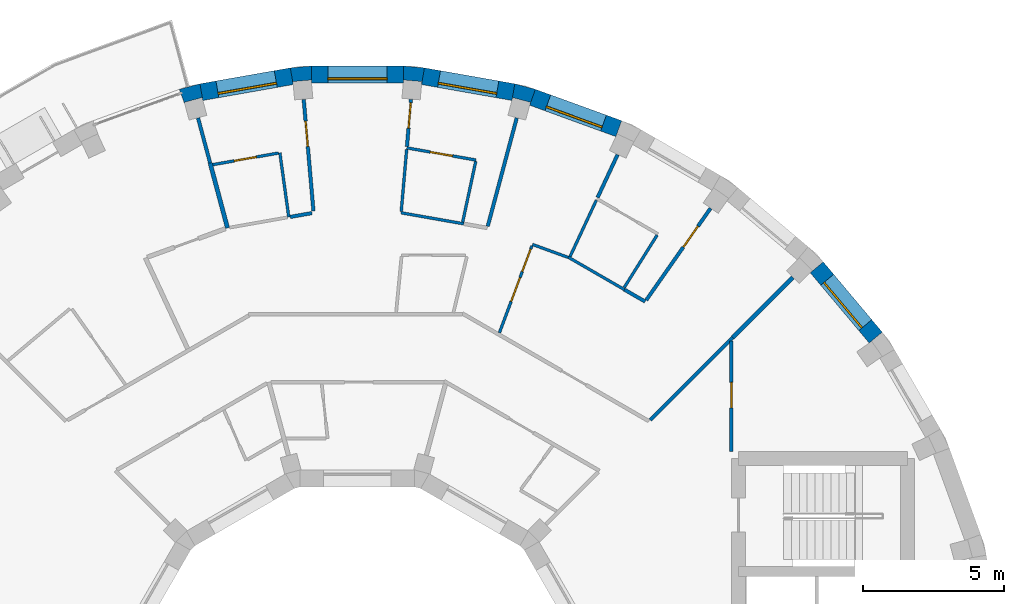
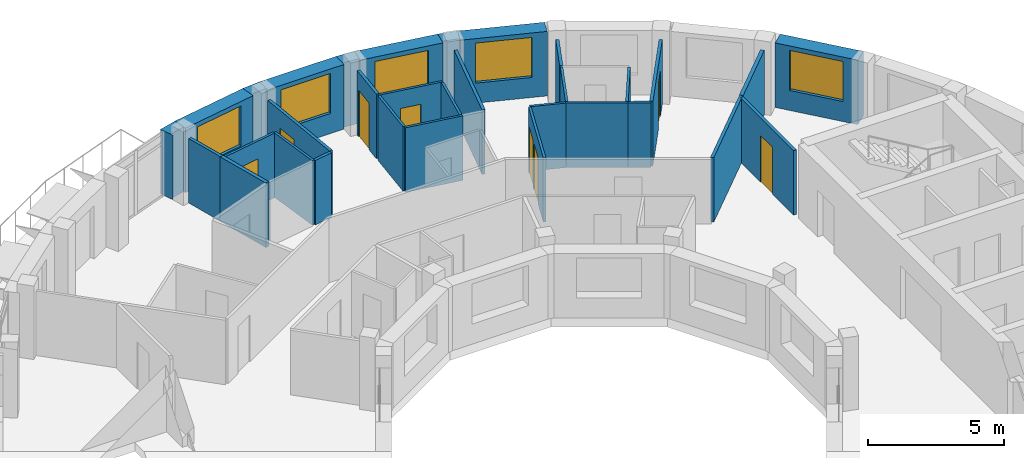
# One storey, part 10 of 12: 32 walls, 8 doors, 5 windows, 13 openings.
"""IFC4 building model written with IfcOpenShell, lengths in metres."""

from ifc_helpers import new_model, si_unit, direction, frame, frame_2d, origin, place, context, subcontext, project, spatial, polyline, rectangle, outline, extrude, material, layer, layer_set, type_object, element, fill, save


model = new_model("IFC4")

# Units and contexts
model_context = context("Model", 3, precision=1e-05, world=origin(), true_north=direction((0.0, 1.0)))
body_context = subcontext(model_context, "Body", "Model", "MODEL_VIEW")
ifc_project = project(units=[si_unit("LENGTHUNIT", "METRE"), si_unit("AREAUNIT", "SQUARE_METRE"), si_unit("VOLUMEUNIT", "CUBIC_METRE"), si_unit("PLANEANGLEUNIT", "RADIAN"), si_unit("MASSUNIT", "GRAM", prefix="KILO")], contexts=[model_context])

# Site, building, storey
site_placement = place(None, origin())
site = spatial("IfcSite", under=ifc_project, at=site_placement, CompositionType="ELEMENT")
building_placement = place(site_placement, origin())
building = spatial("IfcBuilding", under=site, at=building_placement, Name="Saqina Gate Tower", CompositionType="ELEMENT")
storey_placement = place(building_placement, frame((0.0, 0.0, 229.699951171875)))
storey = spatial("IfcBuildingStorey", under=building, at=storey_placement, Name="L65", CompositionType="ELEMENT", Elevation=229.699951171875)

# Walls
ifc_material_1 = material(Name="Brick masonry (buff)", Category="masonry")
wall_type_1 = type_object("IfcWallType", Name="BRICK PIER COPING BUFF", PredefinedType="SOLIDWALL", material=ifc_material_1)
wall_1_placement = place(storey_placement, origin())
element("IfcWall", 1, at=wall_1_placement, inside=storey, type_object=wall_type_1, Name="Pier cap L65 column 8", PredefinedType="SOLIDWALL", context=body_context, shape_type="SweptSolid", body=[
    extrude(outline(polyline([(5.579833984375, 22.281982421875), (5.4755859375, 21.691162109375), (5.5029296875, 21.793212890625), (6.130859375, 21.625), (6.103515625, 21.52294921875), (6.30859375, 22.0869140625), (5.579833984375, 22.281982421875)])), origin(), (0.0, 0.0, 1.0), 2.900146484375),
])
wall_2_placement = place(storey_placement, origin())
element("IfcWall", 2, at=wall_2_placement, inside=storey, type_object=wall_type_1, Name="Pier cap L65 column 9", PredefinedType="SOLIDWALL", context=body_context, shape_type="SweptSolid", body=[
    extrude(outline(polyline([(2.377685546875, 22.8466796875), (1.625732421875, 22.91259765625), (1.625732421875, 22.3125), (1.635009765625, 22.417724609375), (2.28271484375, 22.361083984375), (2.2734375, 22.255859375), (2.377685546875, 22.8466796875)])), origin(), (0.0, 0.0, 1.0), 2.900146484375),
])
wall_3_placement = place(storey_placement, origin())
element("IfcWall", 3, at=wall_3_placement, inside=storey, type_object=wall_type_1, Name="Pier cap L65 column 10", PredefinedType="SOLIDWALL", context=body_context, shape_type="SweptSolid", body=[
    extrude(outline(polyline([(-1.625732421875, 22.91259765625), (-2.377685546875, 22.8466796875), (-2.2734375, 22.255859375), (-2.28271484375, 22.361083984375), (-1.635009765625, 22.417724609375), (-1.625732421875, 22.3125), (-1.625732421875, 22.91259765625)])), origin(), (0.0, 0.0, 1.0), 2.900146484375),
])
wall_4_placement = place(storey_placement, origin())
element("IfcWall", 4, at=wall_4_placement, inside=storey, type_object=wall_type_1, Name="Pier cap L65 column 11", PredefinedType="SOLIDWALL", context=body_context, shape_type="SweptSolid", body=[
    extrude(outline(polyline([(-6.30859375, 22.0869140625), (-6.103515625, 21.52294921875), (-6.130859375, 21.625), (-5.5029296875, 21.793212890625), (-5.4755859375, 21.691162109375), (-5.579833984375, 22.281982421875), (-6.30859375, 22.0869140625)])), origin(), (0.0, 0.0, 1.0), 2.900146484375),
])

# Wall, opening, window
ifc_material_2 = material(Name="Brick masonry (buff)", Category="masonry")
ifc_layer_1 = layer(ifc_material_2, 0.60009765625)
ifc_layer_set_1 = layer_set([ifc_layer_1], Name="FW-BRICK-BUFF")
wall_type_2 = type_object("IfcWallType", Name="FW-BRICK-BUFF", PredefinedType="SOLIDWALL", material=ifc_layer_set_1)
wall_5_placement = place(storey_placement, frame((18.3671875, 13.28955078125, 0.0), z_axis=(0.0, 0.0, 1.0), x_axis=(-0.64277291405, 0.766056773982, 0.0)))
wall_5 = element("IfcWall", 5, at=wall_5_placement, inside=storey, type_object=wall_type_2, Name="Facade wall L65 facet 4", PredefinedType="SOLIDWALL", context=body_context, shape_type="SweptSolid", body=[
    extrude(rectangle(XDim=3.251708984375, YDim=0.60009765625, at=frame_2d((1.6259765625, 0.0))), origin(), (0.0, 0.0, 1.0), 2.900146484375),
])
opening_1_placement = place(wall_5_placement, frame((0.57568359375, 0.0, 0.89990234375)))
opening_1 = element("IfcOpeningElement", 6, at=opening_1_placement, cuts=wall_5, Name="Opening G19-W02", PredefinedType="OPENING", context=body_context, shape_type="SweptSolid", body=[
    extrude(rectangle(XDim=2.10009765625, YDim=1.800048828125, at=frame_2d((1.050048828125, 0.89990234375))), frame((0.0, 0.31201171875, 0.0), z_axis=(0.0, -1.0, 0.0), x_axis=(1.0, 0.0, 0.0)), (0.0, 0.0, 1.0), 0.6240234375),
])
ifc_material_3 = material(Name="Aluminium glazing", Category="aluminium")
window_type = type_object("IfcWindowType", Name="WN-D", PartitioningType="SINGLE_PANEL", PredefinedType="WINDOW", material=ifc_material_3)
window_1_placement = place(opening_1_placement, origin())
window_1 = element("IfcWindow", 7, at=window_1_placement, inside=storey, type_object=window_type, Name="Window L65 facet 4", OverallHeight=1.800048828125, OverallWidth=2.10009765625, PartitioningType="SINGLE_PANEL", PredefinedType="WINDOW", context=body_context, shape_type="SweptSolid", body=[
    extrude(rectangle(XDim=2.10009765625, YDim=1.800048828125, at=frame_2d((1.050048828125, 0.89990234375))), frame((0.0, 0.179931640625, 0.0), z_axis=(0.0, -1.0, 0.0), x_axis=(1.0, 0.0, 0.0)), (0.0, 0.0, 1.0), 0.06005859375),
])
fill(opening_1, window_1)

wall_6_placement = place(storey_placement, frame((9.26171875, 20.692626953125, 0.0), z_axis=(0.0, 0.0, 1.0), x_axis=(-0.939679383794, 0.342056509473, 0.0)))
wall_6 = element("IfcWall", 8, at=wall_6_placement, inside=storey, type_object=wall_type_2, Name="Facade wall L65 facet 7", PredefinedType="SOLIDWALL", context=body_context, shape_type="SweptSolid", body=[
    extrude(rectangle(XDim=3.251708984375, YDim=0.60009765625, at=frame_2d((1.6259765625, 0.0))), origin(), (0.0, 0.0, 1.0), 2.900146484375),
])
opening_2_placement = place(wall_6_placement, frame((0.57568359375, 0.0, 0.89990234375)))
opening_2 = element("IfcOpeningElement", 9, at=opening_2_placement, cuts=wall_6, Name="Opening G19-W05", PredefinedType="OPENING", context=body_context, shape_type="SweptSolid", body=[
    extrude(rectangle(XDim=2.10009765625, YDim=1.800048828125, at=frame_2d((1.050048828125, 0.89990234375))), frame((0.0, 0.31201171875, 0.0), z_axis=(0.0, -1.0, 0.0), x_axis=(1.0, 0.0, 0.0)), (0.0, 0.0, 1.0), 0.6240234375),
])
window_2_placement = place(opening_2_placement, origin())
window_2 = element("IfcWindow", 10, at=window_2_placement, inside=storey, type_object=window_type, Name="Window L65 facet 7", OverallHeight=1.800048828125, OverallWidth=2.10009765625, PartitioningType="SINGLE_PANEL", PredefinedType="WINDOW", context=body_context, shape_type="SweptSolid", body=[
    extrude(rectangle(XDim=2.10009765625, YDim=1.800048828125, at=frame_2d((1.050048828125, 0.89990234375))), frame((0.0, 0.179931640625, 0.0), z_axis=(0.0, -1.0, 0.0), x_axis=(1.0, 0.0, 0.0)), (0.0, 0.0, 1.0), 0.06005859375),
])
fill(opening_2, window_2)

wall_7_placement = place(storey_placement, frame((5.52783203125, 21.986572265625, 0.0), z_axis=(0.0, 0.0, 1.0), x_axis=(-0.984806225186, 0.173656842178, 0.0)))
wall_7 = element("IfcWall", 11, at=wall_7_placement, inside=storey, type_object=wall_type_2, Name="Facade wall L65 facet 8", PredefinedType="SOLIDWALL", context=body_context, shape_type="SweptSolid", body=[
    extrude(rectangle(XDim=3.251708984375, YDim=0.60009765625, at=frame_2d((1.6259765625, 0.0))), origin(), (0.0, 0.0, 1.0), 2.900146484375),
])
opening_3_placement = place(wall_7_placement, frame((0.57568359375, 0.0, 0.89990234375)))
opening_3 = element("IfcOpeningElement", 12, at=opening_3_placement, cuts=wall_7, Name="Opening G19-W06", PredefinedType="OPENING", context=body_context, shape_type="SweptSolid", body=[
    extrude(rectangle(XDim=2.10009765625, YDim=1.800048828125, at=frame_2d((1.050048828125, 0.89990234375))), frame((0.0, 0.31201171875, 0.0), z_axis=(0.0, -1.0, 0.0), x_axis=(1.0, 0.0, 0.0)), (0.0, 0.0, 1.0), 0.6240234375),
])
window_3_placement = place(opening_3_placement, origin())
window_3 = element("IfcWindow", 13, at=window_3_placement, inside=storey, type_object=window_type, Name="Window L65 facet 8", OverallHeight=1.800048828125, OverallWidth=2.10009765625, PartitioningType="SINGLE_PANEL", PredefinedType="WINDOW", context=body_context, shape_type="SweptSolid", body=[
    extrude(rectangle(XDim=2.10009765625, YDim=1.800048828125, at=frame_2d((1.050048828125, 0.89990234375))), frame((0.0, 0.179931640625, 0.0), z_axis=(0.0, -1.0, 0.0), x_axis=(1.0, 0.0, 0.0)), (0.0, 0.0, 1.0), 0.06005859375),
])
fill(opening_3, window_3)

wall_8_placement = place(storey_placement, frame((1.625732421875, 22.612548828125, 0.0), z_axis=(0.0, 0.0, 1.0), x_axis=(-1.0, 0.0, 0.0)))
wall_8 = element("IfcWall", 14, at=wall_8_placement, inside=storey, type_object=wall_type_2, Name="Facade wall L65 facet 9", PredefinedType="SOLIDWALL", context=body_context, shape_type="SweptSolid", body=[
    extrude(rectangle(XDim=3.25146484375, YDim=0.60009765625, at=frame_2d((1.625732421875, 0.0))), origin(), (0.0, 0.0, 1.0), 2.900146484375),
])
opening_4_placement = place(wall_8_placement, frame((0.57568359375, 0.0, 0.89990234375)))
opening_4 = element("IfcOpeningElement", 15, at=opening_4_placement, cuts=wall_8, Name="Opening G19-W07", PredefinedType="OPENING", context=body_context, shape_type="SweptSolid", body=[
    extrude(rectangle(XDim=2.10009765625, YDim=1.800048828125, at=frame_2d((1.050048828125, 0.89990234375))), frame((0.0, 0.31201171875, 0.0), z_axis=(0.0, -1.0, 0.0), x_axis=(1.0, 0.0, 0.0)), (0.0, 0.0, 1.0), 0.6240234375),
])
window_4_placement = place(opening_4_placement, origin())
window_4 = element("IfcWindow", 16, at=window_4_placement, inside=storey, type_object=window_type, Name="Window L65 facet 9", OverallHeight=1.800048828125, OverallWidth=2.10009765625, PartitioningType="SINGLE_PANEL", PredefinedType="WINDOW", context=body_context, shape_type="SweptSolid", body=[
    extrude(rectangle(XDim=2.10009765625, YDim=1.800048828125, at=frame_2d((1.050048828125, 0.89990234375))), frame((0.0, 0.179931640625, 0.0), z_axis=(0.0, -1.0, 0.0), x_axis=(1.0, 0.0, 0.0)), (0.0, 0.0, 1.0), 0.06005859375),
])
fill(opening_4, window_4)

wall_9_placement = place(storey_placement, frame((-2.325439453125, 22.55126953125, 0.0), z_axis=(0.0, 0.0, 1.0), x_axis=(-0.984806225186, -0.173656842178, 0.0)))
wall_9 = element("IfcWall", 17, at=wall_9_placement, inside=storey, type_object=wall_type_2, Name="Facade wall L65 facet 10", PredefinedType="SOLIDWALL", context=body_context, shape_type="SweptSolid", body=[
    extrude(rectangle(XDim=3.251708984375, YDim=0.60009765625, at=frame_2d((1.6259765625, 0.0))), origin(), (0.0, 0.0, 1.0), 2.900146484375),
])
opening_5_placement = place(wall_9_placement, frame((0.57568359375, 0.0, 0.89990234375)))
opening_5 = element("IfcOpeningElement", 18, at=opening_5_placement, cuts=wall_9, Name="Opening G19-W08", PredefinedType="OPENING", context=body_context, shape_type="SweptSolid", body=[
    extrude(rectangle(XDim=2.10009765625, YDim=1.800048828125, at=frame_2d((1.050048828125, 0.89990234375))), frame((0.0, 0.31201171875, 0.0), z_axis=(0.0, -1.0, 0.0), x_axis=(1.0, 0.0, 0.0)), (0.0, 0.0, 1.0), 0.6240234375),
])
window_5_placement = place(opening_5_placement, origin())
window_5 = element("IfcWindow", 19, at=window_5_placement, inside=storey, type_object=window_type, Name="Window L65 facet 10", OverallHeight=1.800048828125, OverallWidth=2.10009765625, PartitioningType="SINGLE_PANEL", PredefinedType="WINDOW", context=body_context, shape_type="SweptSolid", body=[
    extrude(rectangle(XDim=2.10009765625, YDim=1.800048828125, at=frame_2d((1.050048828125, 0.89990234375))), frame((0.0, 0.179931640625, 0.0), z_axis=(0.0, -1.0, 0.0), x_axis=(1.0, 0.0, 0.0)), (0.0, 0.0, 1.0), 0.06005859375),
])
fill(opening_5, window_5)

# Walls
ifc_material_4 = material(Name="Gypsum board on steel studs, 100 mm", Category="steel")
ifc_layer_2 = layer(ifc_material_4, 0.10009765625)
ifc_layer_set_2 = layer_set([ifc_layer_2], Name="PARTITION 100")
wall_type_3 = type_object("IfcWallType", Name="PARTITION 100", PredefinedType="PARTITIONING", material=ifc_layer_set_2)
wall_10_placement = place(storey_placement, frame((-2.7470703125, 19.8369140625, 0.0), z_axis=(0.0, 0.0, 1.0), x_axis=(0.137351585164, -0.990522358179, 0.0)))
element("IfcWall", 20, at=wall_10_placement, inside=storey, type_object=wall_type_3, Name="PARTITION PW3-02", PredefinedType="PARTITIONING", context=body_context, shape_type="SweptSolid", body=[
    extrude(rectangle(XDim=2.3017578125, YDim=0.10009765625, at=frame_2d((1.15087890625, 0.0))), origin(), (0.0, 0.0, 1.0), 2.900146484375),
])
wall_11_placement = place(storey_placement, frame((7.469970703125, 16.139404296875, 0.0), z_axis=(0.0, 0.0, 1.0), x_axis=(0.866070948836, -0.499921105357, 0.0)))
element("IfcWall", 21, at=wall_11_placement, inside=storey, type_object=wall_type_3, Name="PARTITION PW3-18", PredefinedType="PARTITIONING", context=body_context, shape_type="SweptSolid", body=[
    extrude(rectangle(XDim=2.304931640625, YDim=0.10009765625, at=frame_2d((1.15234375, 0.0))), origin(), (0.0, 0.0, 1.0), 2.900146484375),
])
wall_12_placement = place(storey_placement, frame((6.2041015625, 16.591064453125, 0.0), z_axis=(0.0, 0.0, 1.0), x_axis=(0.939623600186, -0.342209716364, 0.0)))
element("IfcWall", 22, at=wall_12_placement, inside=storey, type_object=wall_type_3, Name="PARTITION PW3-20", PredefinedType="PARTITIONING", context=body_context, shape_type="SweptSolid", body=[
    extrude(rectangle(XDim=1.343994140625, YDim=0.10009765625, at=frame_2d((0.671875, 0.0))), origin(), (0.0, 0.0, 1.0), 2.900146484375),
])
wall_13_placement = place(storey_placement, frame((1.550048828125, 17.7119140625, 0.0), z_axis=(0.0, 0.0, 1.0), x_axis=(0.984859814572, -0.173352662631, 0.0)))
element("IfcWall", 23, at=wall_13_placement, inside=storey, type_object=wall_type_3, Name="PARTITION PW3-23", PredefinedType="PARTITIONING", context=body_context, shape_type="SweptSolid", body=[
    extrude(rectangle(XDim=2.25341796875, YDim=0.10009765625, at=frame_2d((1.126708984375, 0.0))), origin(), (0.0, 0.0, 1.0), 2.900146484375),
])

# Wall, opening, door
wall_14_placement = place(storey_placement, frame((1.7509765625, 20.011962890625, 0.0), z_axis=(0.0, 0.0, 1.0), x_axis=(0.984838792384, -0.173472052547, 0.0)))
wall_14 = element("IfcWall", 24, at=wall_14_placement, inside=storey, type_object=wall_type_3, Name="PARTITION PW3-24", PredefinedType="PARTITIONING", context=body_context, shape_type="SweptSolid", body=[
    extrude(rectangle(XDim=2.48974609375, YDim=0.10009765625, at=frame_2d((1.244873046875, 0.0))), origin(), (0.0, 0.0, 1.0), 2.900146484375),
])
opening_6_placement = place(wall_14_placement, frame((0.844970703125, 0.0, 0.0)))
opening_6 = element("IfcOpeningElement", 25, at=opening_6_placement, cuts=wall_14, Name="Opening G19-D09", PredefinedType="OPENING", context=body_context, shape_type="SweptSolid", body=[
    extrude(rectangle(XDim=0.800048828125, YDim=2.10009765625, at=frame_2d((0.39990234375, 1.050048828125))), frame((0.0, 0.06201171875, 0.0), z_axis=(0.0, -1.0, 0.0), x_axis=(1.0, 0.0, 0.0)), (0.0, 0.0, 1.0), 0.1240234375),
])
ifc_material_5 = material(Name="Timber door leaf, 800 mm", Category="wood")
door_type_1 = type_object("IfcDoorType", Name="DOOR 800 TIMBER", OperationType="SINGLE_SWING_LEFT", PredefinedType="DOOR", material=ifc_material_5)
door_1_placement = place(opening_6_placement, origin())
door_1 = element("IfcDoor", 26, at=door_1_placement, inside=storey, type_object=door_type_1, Name="DOOR G19-D09", OperationType="SINGLE_SWING_RIGHT", OverallHeight=2.10009765625, OverallWidth=0.800048828125, PredefinedType="DOOR", context=body_context, shape_type="SweptSolid", body=[
    extrude(rectangle(XDim=0.800048828125, YDim=2.10009765625, at=frame_2d((0.39990234375, 1.050048828125))), frame((0.0, 0.02490234375, 0.0), z_axis=(0.0, -1.0, 0.0), x_axis=(1.0, 0.0, 0.0)), (0.0, 0.0, 1.0), 0.050048828125),
])
fill(opening_6, door_1)

wall_15_placement = place(storey_placement, frame((-5.125244140625, 19.4169921875, 0.0), z_axis=(0.0, 0.0, 1.0), x_axis=(0.984757568604, 0.173932547494, 0.0)))
wall_15 = element("IfcWall", 27, at=wall_15_placement, inside=storey, type_object=wall_type_3, Name="PARTITION PW3-30", PredefinedType="PARTITIONING", context=body_context, shape_type="SweptSolid", body=[
    extrude(rectangle(XDim=2.365234375, YDim=0.10009765625, at=frame_2d((1.1826171875, 0.0))), origin(), (0.0, 0.0, 1.0), 2.900146484375),
])
opening_7_placement = place(wall_15_placement, frame((0.77001953125, 0.0, 0.0)))
opening_7 = element("IfcOpeningElement", 28, at=opening_7_placement, cuts=wall_15, Name="Opening G19-D15", PredefinedType="OPENING", context=body_context, shape_type="SweptSolid", body=[
    extrude(rectangle(XDim=0.800048828125, YDim=2.10009765625, at=frame_2d((0.39990234375, 1.050048828125))), frame((0.0, 0.06201171875, 0.0), z_axis=(0.0, -1.0, 0.0), x_axis=(1.0, 0.0, 0.0)), (0.0, 0.0, 1.0), 0.1240234375),
])
door_2_placement = place(opening_7_placement, origin())
door_2 = element("IfcDoor", 29, at=door_2_placement, inside=storey, type_object=door_type_1, Name="DOOR G19-D15", OperationType="SINGLE_SWING_LEFT", OverallHeight=2.10009765625, OverallWidth=0.800048828125, PredefinedType="DOOR", context=body_context, shape_type="SweptSolid", body=[
    extrude(rectangle(XDim=0.800048828125, YDim=2.10009765625, at=frame_2d((0.39990234375, 1.050048828125))), frame((0.0, 0.02490234375, 0.0), z_axis=(0.0, -1.0, 0.0), x_axis=(1.0, 0.0, 0.0)), (0.0, 0.0, 1.0), 0.050048828125),
])
fill(opening_7, door_2)

# Walls
wall_16_placement = place(storey_placement, frame((9.456298828125, 15.06494140625, 0.0), z_axis=(0.0, 0.0, 1.0), x_axis=(0.531591455813, 0.847000899708, 0.0)))
element("IfcWall", 30, at=wall_16_placement, inside=storey, type_object=wall_type_3, Name="PARTITION PW3-41", PredefinedType="PARTITIONING", context=body_context, shape_type="SweptSolid", body=[
    extrude(rectangle(XDim=2.189697265625, YDim=0.10009765625, at=frame_2d((1.0947265625, 0.0))), origin(), (0.0, 0.0, 1.0), 2.900146484375),
])
wall_17_placement = place(storey_placement, frame((7.53515625, 16.159423828125, 0.0), z_axis=(0.0, 0.0, 1.0), x_axis=(0.422601095784, 0.906315791456, 0.0)))
element("IfcWall", 31, at=wall_17_placement, inside=storey, type_object=wall_type_3, Name="PARTITION PW3-44", PredefinedType="PARTITIONING", context=body_context, shape_type="SweptSolid", body=[
    extrude(rectangle(XDim=2.209228515625, YDim=0.10009765625, at=frame_2d((1.1044921875, 0.0))), origin(), (0.0, 0.0, 1.0), 2.900146484375),
])

# Wall, openings, doors
wall_18_placement = place(storey_placement, frame((5.031982421875, 13.45947265625, 0.0), z_axis=(0.0, 0.0, 1.0), x_axis=(0.350375066682, 0.936609477129, 0.0)))
wall_18 = element("IfcWall", 32, at=wall_18_placement, inside=storey, type_object=wall_type_3, Name="PARTITION PW3-47", PredefinedType="PARTITIONING", context=body_context, shape_type="SweptSolid", body=[
    extrude(rectangle(XDim=3.28955078125, YDim=0.10009765625, at=frame_2d((1.644775390625, 0.0))), origin(), (0.0, 0.0, 1.0), 2.900146484375),
])
opening_8_placement = place(wall_18_placement, frame((1.188720703125, 0.0, 0.0)))
opening_8 = element("IfcOpeningElement", 33, at=opening_8_placement, cuts=wall_18, Name="Opening G19-D07", PredefinedType="OPENING", context=body_context, shape_type="SweptSolid", body=[
    extrude(rectangle(XDim=0.89990234375, YDim=2.10009765625, at=frame_2d((0.449951171875, 1.050048828125))), frame((0.0, 0.06201171875, 0.0), z_axis=(0.0, -1.0, 0.0), x_axis=(1.0, 0.0, 0.0)), (0.0, 0.0, 1.0), 0.1240234375),
])
opening_9_placement = place(wall_18_placement, frame((2.313720703125, 0.0, 0.0)))
opening_9 = element("IfcOpeningElement", 34, at=opening_9_placement, cuts=wall_18, Name="Opening G19-D08", PredefinedType="OPENING", context=body_context, shape_type="SweptSolid", body=[
    extrude(rectangle(XDim=0.85009765625, YDim=2.10009765625, at=frame_2d((0.425048828125, 1.050048828125))), frame((0.0, 0.06201171875, 0.0), z_axis=(0.0, -1.0, 0.0), x_axis=(1.0, 0.0, 0.0)), (0.0, 0.0, 1.0), 0.1240234375),
])
ifc_material_6 = material(Name="Timber door leaf, 850 mm", Category="wood")
door_type_2 = type_object("IfcDoorType", Name="DOOR 850 TIMBER", OperationType="SINGLE_SWING_LEFT", PredefinedType="DOOR", material=ifc_material_6)
door_3_placement = place(opening_9_placement, origin())
door_3 = element("IfcDoor", 35, at=door_3_placement, inside=storey, type_object=door_type_2, Name="DOOR G19-D08", OperationType="SINGLE_SWING_RIGHT", OverallHeight=2.10009765625, OverallWidth=0.85009765625, PredefinedType="DOOR", context=body_context, shape_type="SweptSolid", body=[
    extrude(rectangle(XDim=0.85009765625, YDim=2.10009765625, at=frame_2d((0.425048828125, 1.050048828125))), frame((0.0, 0.02490234375, 0.0), z_axis=(0.0, -1.0, 0.0), x_axis=(1.0, 0.0, 0.0)), (0.0, 0.0, 1.0), 0.050048828125),
])
fill(opening_9, door_3)
ifc_material_7 = material(Name="Timber door leaf, 900 mm", Category="wood")
door_type_3 = type_object("IfcDoorType", Name="DOOR 900 TIMBER", OperationType="SINGLE_SWING_LEFT", PredefinedType="DOOR", material=ifc_material_7)
door_4_placement = place(opening_8_placement, origin())
door_4 = element("IfcDoor", 36, at=door_4_placement, inside=storey, type_object=door_type_3, Name="DOOR G19-D07", OperationType="SINGLE_SWING_LEFT", OverallHeight=2.10009765625, OverallWidth=0.89990234375, PredefinedType="DOOR", context=body_context, shape_type="SweptSolid", body=[
    extrude(rectangle(XDim=0.89990234375, YDim=2.10009765625, at=frame_2d((0.449951171875, 1.050048828125))), frame((0.0, 0.02490234375, 0.0), z_axis=(0.0, -1.0, 0.0), x_axis=(1.0, 0.0, 0.0)), (0.0, 0.0, 1.0), 0.050048828125),
])
fill(opening_8, door_4)

# Walls
wall_19_placement = place(storey_placement, frame((3.73046875, 17.37890625, 0.0), z_axis=(0.0, 0.0, 1.0), x_axis=(0.209960822615, 0.977709799975, 0.0)))
element("IfcWall", 37, at=wall_19_placement, inside=storey, type_object=wall_type_3, Name="PARTITION PW3-51", PredefinedType="PARTITIONING", context=body_context, shape_type="SweptSolid", body=[
    extrude(rectangle(XDim=2.201171875, YDim=0.10009765625, at=frame_2d((1.1005859375, 0.0))), origin(), (0.0, 0.0, 1.0), 2.900146484375),
])
wall_20_placement = place(storey_placement, frame((1.554443359375, 17.7626953125, 0.0), z_axis=(0.0, 0.0, 1.0), x_axis=(0.087075900377, 0.99620168017, 0.0)))
element("IfcWall", 38, at=wall_20_placement, inside=storey, type_object=wall_type_3, Name="PARTITION PW3-55", PredefinedType="PARTITIONING", context=body_context, shape_type="SweptSolid", body=[
    extrude(rectangle(XDim=2.1953125, YDim=0.10009765625, at=frame_2d((1.09765625, 0.0))), origin(), (0.0, 0.0, 1.0), 2.900146484375),
])

# Wall, opening, door
ifc_material_8 = material(Name="Gypsum board on steel studs, 125 mm, fire rated", Category="steel")
ifc_layer_3 = layer(ifc_material_8, 0.125)
ifc_layer_set_3 = layer_set([ifc_layer_3], Name="PARTITION EI 30 125")
wall_type_4 = type_object("IfcWallType", Name="PARTITION EI 30 125", PredefinedType="PARTITIONING", material=ifc_layer_set_3)
wall_21_placement = place(storey_placement, frame((-1.901611328125, 21.73193359375, 0.0), z_axis=(0.0, 0.0, 1.0), x_axis=(0.086672056797, -0.996236896813, 0.0)))
wall_21 = element("IfcWall", 39, at=wall_21_placement, inside=storey, type_object=wall_type_4, Name="PARTITION PW1-01", PredefinedType="PARTITIONING", context=body_context, shape_type="SweptSolid", body=[
    extrude(rectangle(XDim=3.9716796875, YDim=0.125, at=frame_2d((1.98583984375, 0.0))), origin(), (0.0, 0.0, 1.0), 2.900146484375),
])
opening_10_placement = place(wall_21_placement, frame((0.775390625, 0.0, 0.0)))
opening_10 = element("IfcOpeningElement", 40, at=opening_10_placement, cuts=wall_21, Name="Opening G19-D13", PredefinedType="OPENING", context=body_context, shape_type="SweptSolid", body=[
    extrude(rectangle(XDim=0.89990234375, YDim=2.10009765625, at=frame_2d((0.449951171875, 1.050048828125))), frame((0.0, 0.074462890625, 0.0), z_axis=(0.0, -1.0, 0.0), x_axis=(1.0, 0.0, 0.0)), (0.0, 0.0, 1.0), 0.14892578125),
])
ifc_material_9 = material(Name="Fire door leaf EI 30, 900 mm")
door_type_4 = type_object("IfcDoorType", Name="DOOR 900 EI 30", OperationType="SINGLE_SWING_LEFT", PredefinedType="DOOR", material=ifc_material_9)
door_5_placement = place(opening_10_placement, origin())
door_5 = element("IfcDoor", 41, at=door_5_placement, inside=storey, type_object=door_type_4, Name="DOOR G19-D13", OperationType="SINGLE_SWING_LEFT", OverallHeight=2.10009765625, OverallWidth=0.89990234375, PredefinedType="DOOR", context=body_context, shape_type="SweptSolid", body=[
    extrude(rectangle(XDim=0.89990234375, YDim=2.10009765625, at=frame_2d((0.449951171875, 1.050048828125))), frame((0.0, 0.02490234375, 0.0), z_axis=(0.0, -1.0, 0.0), x_axis=(1.0, 0.0, 0.0)), (0.0, 0.0, 1.0), 0.050048828125),
])
fill(opening_10, door_5)

# Walls
wall_22_placement = place(storey_placement, frame((-5.64599609375, 21.07177734375, 0.0), z_axis=(0.0, 0.0, 1.0), x_axis=(0.258849385643, -0.965917696055, 0.0)))
element("IfcWall", 42, at=wall_22_placement, inside=storey, type_object=wall_type_4, Name="PARTITION PW1-02", PredefinedType="PARTITIONING", context=body_context, shape_type="SweptSolid", body=[
    extrude(rectangle(XDim=1.651611328125, YDim=0.125, at=frame_2d((0.82568359375, 0.0))), origin(), (0.0, 0.0, 1.0), 2.900146484375),
])
wall_23_placement = place(storey_placement, frame((9.46630859375, 14.987060546875, 0.0), z_axis=(0.0, 0.0, 1.0), x_axis=(0.866185586049, -0.49972245349, 0.0)))
element("IfcWall", 43, at=wall_23_placement, inside=storey, type_object=wall_type_4, Name="PARTITION PW1-13", PredefinedType="PARTITIONING", context=body_context, shape_type="SweptSolid", body=[
    extrude(rectangle(XDim=0.8427734375, YDim=0.125, at=frame_2d((0.42138671875, 0.0))), origin(), (0.0, 0.0, 1.0), 2.900146484375),
])
wall_24_placement = place(storey_placement, frame((-2.3818359375, 17.565673828125, 0.0), z_axis=(0.0, 0.0, 1.0), x_axis=(0.984877691651, 0.173251067786, 0.0)))
element("IfcWall", 44, at=wall_24_placement, inside=storey, type_object=wall_type_4, Name="PARTITION PW1-22", PredefinedType="PARTITIONING", context=body_context, shape_type="SweptSolid", body=[
    extrude(rectangle(XDim=0.781982421875, YDim=0.125, at=frame_2d((0.39111328125, 0.0))), origin(), (0.0, 0.0, 1.0), 2.900146484375),
])
wall_25_placement = place(storey_placement, frame((10.373291015625, 10.373291015625, 0.0), z_axis=(0.0, 0.0, 1.0), x_axis=(0.707106781187, 0.707106781187, 0.0)))
element("IfcWall", 45, at=wall_25_placement, inside=storey, type_object=wall_type_4, Name="PARTITION PW1-32", PredefinedType="PARTITIONING", context=body_context, shape_type="SweptSolid", body=[
    extrude(rectangle(XDim=4.130859375, YDim=0.125, at=frame_2d((2.0654296875, 0.0))), origin(), (0.0, 0.0, 1.0), 2.900146484375),
])

# Wall, opening, door
wall_26_placement = place(storey_placement, frame((10.23388671875, 14.6162109375, 0.0), z_axis=(0.0, 0.0, 1.0), x_axis=(0.573631457717, 0.81911351516, 0.0)))
wall_26 = element("IfcWall", 46, at=wall_26_placement, inside=storey, type_object=wall_type_4, Name="PARTITION PW1-34", PredefinedType="PARTITIONING", context=body_context, shape_type="SweptSolid", body=[
    extrude(rectangle(XDim=3.97216796875, YDim=0.125, at=frame_2d((1.986083984375, 0.0))), origin(), (0.0, 0.0, 1.0), 2.900146484375),
])
opening_11_placement = place(wall_26_placement, frame((2.2958984375, 0.0, 0.0)))
opening_11 = element("IfcOpeningElement", 47, at=opening_11_placement, cuts=wall_26, Name="Opening G19-D03", PredefinedType="OPENING", context=body_context, shape_type="SweptSolid", body=[
    extrude(rectangle(XDim=0.89990234375, YDim=2.10009765625, at=frame_2d((0.449951171875, 1.050048828125))), frame((0.0, 0.074462890625, 0.0), z_axis=(0.0, -1.0, 0.0), x_axis=(1.0, 0.0, 0.0)), (0.0, 0.0, 1.0), 0.14892578125),
])
door_6_placement = place(opening_11_placement, frame((0.89990234375, 0.0, 0.0), z_axis=(0.0, 0.0, 1.0), x_axis=(-1.0, 0.0, 0.0)))
door_6 = element("IfcDoor", 48, at=door_6_placement, inside=storey, type_object=door_type_4, Name="DOOR G19-D03", OperationType="SINGLE_SWING_LEFT", OverallHeight=2.10009765625, OverallWidth=0.89990234375, PredefinedType="DOOR", context=body_context, shape_type="SweptSolid", body=[
    extrude(rectangle(XDim=0.89990234375, YDim=2.10009765625, at=frame_2d((0.449951171875, 1.050048828125))), frame((0.0, 0.02490234375, 0.0), z_axis=(0.0, -1.0, 0.0), x_axis=(1.0, 0.0, 0.0)), (0.0, 0.0, 1.0), 0.050048828125),
])
fill(opening_11, door_6)

# Walls
wall_27_placement = place(storey_placement, frame((8.51123046875, 18.252197265625, 0.0), z_axis=(0.0, 0.0, 1.0), x_axis=(0.422749886817, 0.906246397618, 0.0)))
element("IfcWall", 49, at=wall_27_placement, inside=storey, type_object=wall_type_4, Name="PARTITION PW1-36", PredefinedType="PARTITIONING", context=body_context, shape_type="SweptSolid", body=[
    extrude(rectangle(XDim=1.676025390625, YDim=0.125, at=frame_2d((0.837890625, 0.0))), origin(), (0.0, 0.0, 1.0), 2.900146484375),
])
wall_28_placement = place(storey_placement, frame((4.619140625, 17.234130859375, 0.0), z_axis=(0.0, 0.0, 1.0), x_axis=(0.258553809463, 0.965996856937, 0.0)))
element("IfcWall", 50, at=wall_28_placement, inside=storey, type_object=wall_type_4, Name="PARTITION PW1-38", PredefinedType="PARTITIONING", context=body_context, shape_type="SweptSolid", body=[
    extrude(rectangle(XDim=3.972412109375, YDim=0.125, at=frame_2d((1.986328125, 0.0))), origin(), (0.0, 0.0, 1.0), 2.900146484375),
])

# Wall, opening, door
wall_29_placement = place(storey_placement, frame((1.75634765625, 20.061767578125, 0.0), z_axis=(0.0, 0.0, 1.0), x_axis=(0.086648468713, 0.996238948681, 0.0)))
wall_29 = element("IfcWall", 51, at=wall_29_placement, inside=storey, type_object=wall_type_4, Name="PARTITION PW1-39", PredefinedType="PARTITIONING", context=body_context, shape_type="SweptSolid", body=[
    extrude(rectangle(XDim=1.676513671875, YDim=0.125, at=frame_2d((0.83837890625, 0.0))), origin(), (0.0, 0.0, 1.0), 2.900146484375),
])
opening_12_placement = place(wall_29_placement, frame((0.654296875, 0.0, 0.0)))
opening_12 = element("IfcOpeningElement", 52, at=opening_12_placement, cuts=wall_29, Name="Opening G19-D11", PredefinedType="OPENING", context=body_context, shape_type="SweptSolid", body=[
    extrude(rectangle(XDim=0.89990234375, YDim=2.10009765625, at=frame_2d((0.449951171875, 1.050048828125))), frame((0.0, 0.074462890625, 0.0), z_axis=(0.0, -1.0, 0.0), x_axis=(1.0, 0.0, 0.0)), (0.0, 0.0, 1.0), 0.14892578125),
])
door_7_placement = place(opening_12_placement, origin())
door_7 = element("IfcDoor", 53, at=door_7_placement, inside=storey, type_object=door_type_4, Name="DOOR G19-D11", OperationType="SINGLE_SWING_RIGHT", OverallHeight=2.10009765625, OverallWidth=0.89990234375, PredefinedType="DOOR", context=body_context, shape_type="SweptSolid", body=[
    extrude(rectangle(XDim=0.89990234375, YDim=2.10009765625, at=frame_2d((0.449951171875, 1.050048828125))), frame((0.0, 0.02490234375, 0.0), z_axis=(0.0, -1.0, 0.0), x_axis=(1.0, 0.0, 0.0)), (0.0, 0.0, 1.0), 0.050048828125),
])
fill(opening_12, door_7)

wall_30_placement = place(storey_placement, frame((13.25, 9.25, 0.0), z_axis=(0.0, 0.0, 1.0), x_axis=(0.0, 1.0, 0.0)))
wall_30 = element("IfcWall", 54, at=wall_30_placement, inside=storey, type_object=wall_type_4, Name="PARTITION PW1-41", PredefinedType="PARTITIONING", context=body_context, shape_type="SweptSolid", body=[
    extrude(rectangle(XDim=3.925048828125, YDim=0.125, at=frame_2d((1.96240234375, 0.0))), origin(), (0.0, 0.0, 1.0), 2.900146484375),
])
opening_13_placement = place(wall_30_placement, frame((1.550048828125, 0.0, 0.0)))
opening_13 = element("IfcOpeningElement", 55, at=opening_13_placement, cuts=wall_30, Name="Opening G19-D01", PredefinedType="OPENING", context=body_context, shape_type="SweptSolid", body=[
    extrude(rectangle(XDim=0.89990234375, YDim=2.10009765625, at=frame_2d((0.449951171875, 1.050048828125))), frame((0.0, 0.074462890625, 0.0), z_axis=(0.0, -1.0, 0.0), x_axis=(1.0, 0.0, 0.0)), (0.0, 0.0, 1.0), 0.14892578125),
])
door_8_placement = place(opening_13_placement, frame((0.89990234375, 0.0, 0.0), z_axis=(0.0, 0.0, 1.0), x_axis=(-1.0, 0.0, 0.0)))
door_8 = element("IfcDoor", 56, at=door_8_placement, inside=storey, type_object=door_type_4, Name="DOOR G19-D01", OperationType="SINGLE_SWING_LEFT", OverallHeight=2.10009765625, OverallWidth=0.89990234375, PredefinedType="DOOR", context=body_context, shape_type="SweptSolid", body=[
    extrude(rectangle(XDim=0.89990234375, YDim=2.10009765625, at=frame_2d((0.449951171875, 1.050048828125))), frame((0.0, 0.02490234375, 0.0), z_axis=(0.0, -1.0, 0.0), x_axis=(1.0, 0.0, 0.0)), (0.0, 0.0, 1.0), 0.050048828125),
])
fill(opening_13, door_8)

# Walls
ifc_material_10 = material(Name="Gypsum board on steel studs, 150 mm, fire rated", Category="steel")
ifc_layer_4 = layer(ifc_material_10, 0.14990234375)
ifc_layer_set_4 = layer_set([ifc_layer_4], Name="PARTITION EI 60 150")
wall_type_5 = type_object("IfcWallType", Name="PARTITION EI 60 150", PredefinedType="PARTITIONING", material=ifc_layer_set_4)
wall_31_placement = place(storey_placement, frame((-5.218505859375, 19.4765625, 0.0), z_axis=(0.0, 0.0, 1.0), x_axis=(0.258503998493, -0.966010187712, 0.0)))
element("IfcWall", 57, at=wall_31_placement, inside=storey, type_object=wall_type_5, Name="PARTITION PW2-02", PredefinedType="PARTITIONING", context=body_context, shape_type="SweptSolid", body=[
    extrude(rectangle(XDim=2.3837890625, YDim=0.14990234375, at=frame_2d((1.19189453125, 0.0))), origin(), (0.0, 0.0, 1.0), 2.900146484375),
])
wall_32_placement = place(storey_placement, frame((13.294189453125, 13.294189453125, 0.0), z_axis=(0.0, 0.0, 1.0), x_axis=(0.707106781187, 0.707106781187, 0.0)))
element("IfcWall", 58, at=wall_32_placement, inside=storey, type_object=wall_type_5, Name="PARTITION PW2-08", PredefinedType="PARTITIONING", context=body_context, shape_type="SweptSolid", body=[
    extrude(rectangle(XDim=3.01416015625, YDim=0.14990234375, at=frame_2d((1.507080078125, 0.0))), origin(), (0.0, 0.0, 1.0), 2.900146484375),
])

save(model, "model.ifc")
